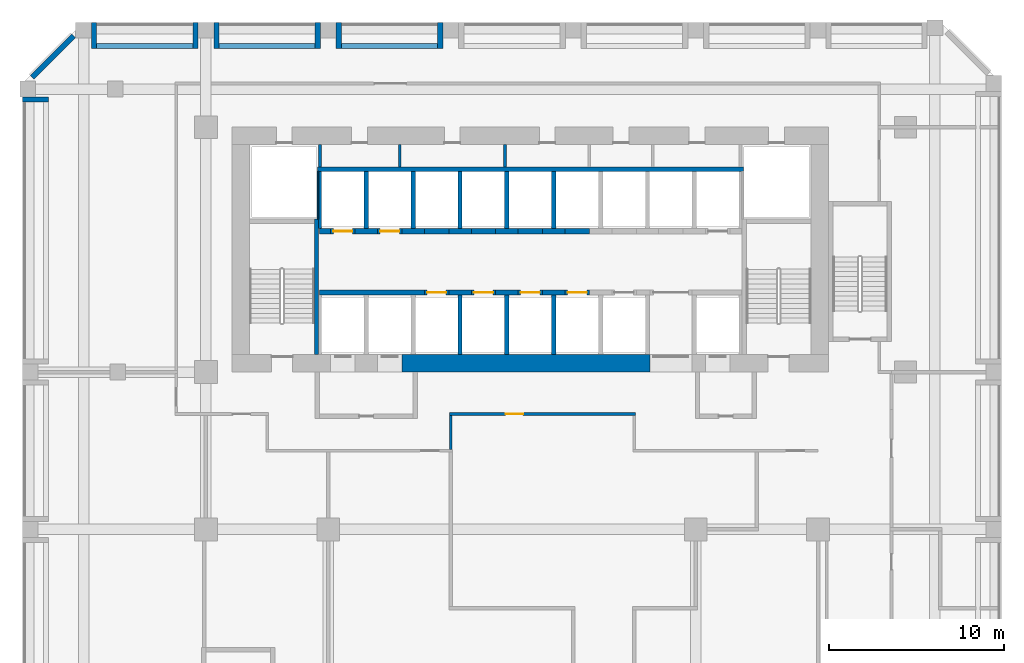
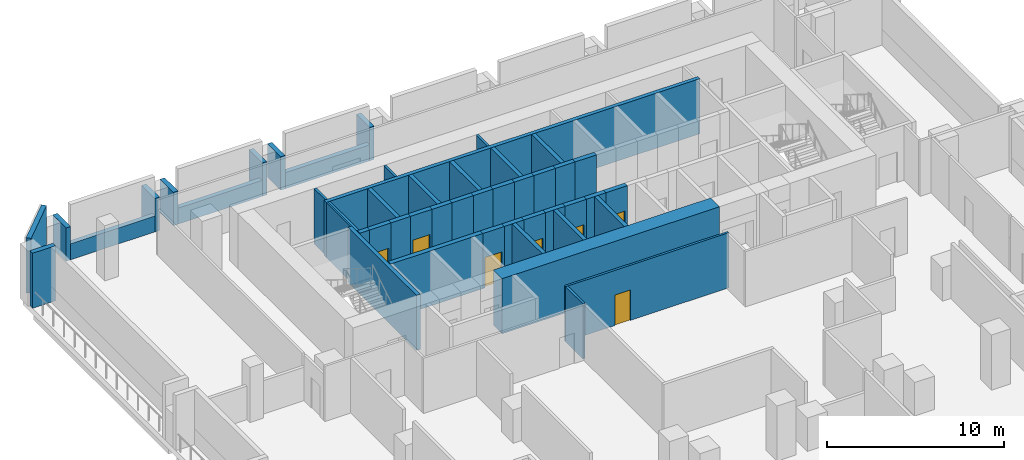
# One storey, part 4 of 10: 49 walls, 7 doors, 7 openings.
"""IFC4 building model written with IfcOpenShell, lengths in metres."""

from ifc_helpers import new_model, si_unit, direction, frame, frame_2d, origin, place, context, subcontext, project, spatial, rectangle, extrude, source, transform, mapped, material, layer, layer_set, type_object, element, fill, save


model = new_model("IFC4")

# Units and contexts
model_context = context("Model", 3, precision=1e-05, world=origin(), true_north=direction((0.0, 1.0)))
body_context = subcontext(model_context, "Body", "Model", "MODEL_VIEW")
ifc_project = project(units=[si_unit("LENGTHUNIT", "METRE"), si_unit("AREAUNIT", "SQUARE_METRE"), si_unit("VOLUMEUNIT", "CUBIC_METRE"), si_unit("PLANEANGLEUNIT", "RADIAN"), si_unit("MASSUNIT", "GRAM", prefix="KILO")], contexts=[model_context])

# Site, building, storey
site_placement = place(None, origin())
site = spatial("IfcSite", under=ifc_project, at=site_placement, CompositionType="ELEMENT")
building_placement = place(site_placement, origin())
building = spatial("IfcBuilding", under=site, at=building_placement, Name="Kilnfold Tower and Market Hall", CompositionType="ELEMENT")
storey_placement = place(building_placement, frame((0.0, 0.0, 59.0)))
storey = spatial("IfcBuildingStorey", under=building, at=storey_placement, Name="L13 Plant Transfer Level", CompositionType="ELEMENT", Elevation=59.0)

# Wall, opening, door
ifc_material_1 = material(Name="Gypsum board on steel studs", Category="steel")
ifc_layer_1 = layer(ifc_material_1, 0.14990234375)
ifc_layer_set_1 = layer_set([ifc_layer_1], Name="Gypsum board on steel studs")
wall_type_1 = type_object("IfcWallType", Name="WALL CORRIDOR 150", PredefinedType="PARTITIONING", material=ifc_layer_set_1)
wall_1_placement = place(storey_placement, frame((-3.574951171875, 5.60009765625, 0.0), z_axis=(0.0, 0.0, 1.0), x_axis=(1.0, 0.0, 0.0)))
wall_1 = element("IfcWall", 1, at=wall_1_placement, inside=storey, type_object=wall_type_1, Name="Partition LY11.7", PredefinedType="PARTITIONING", context=body_context, shape_type="SweptSolid", body=[
    extrude(rectangle(XDim=10.64990234375, YDim=0.14990234375, at=frame_2d((5.324951171875, 0.0))), origin(), (0.0, 0.0, 1.0), 3.800048828125),
])
opening_1_placement = place(wall_1_placement, frame((3.216064453125, 0.0, 0.0)))
opening_1 = element("IfcOpeningElement", 2, at=opening_1_placement, cuts=wall_1, Name="Opening D4", PredefinedType="OPENING", context=body_context, shape_type="SweptSolid", body=[
    extrude(rectangle(XDim=1.0, YDim=2.10009765625, at=frame_2d((0.5, 1.050048828125))), frame((0.0, 0.0849609375, 0.0), z_axis=(0.0, -1.0, 0.0), x_axis=(1.0, 0.0, 0.0)), (0.0, 0.0, 1.0), 0.169921875),
])
ifc_material_2 = material(Name="Timber veneer door leaf in steel frame", Category="steel")
door_type_1 = type_object("IfcDoorType", Name="DOOR SERVICE 1000 X2100", OperationType="NOTDEFINED", PredefinedType="DOOR", material=ifc_material_2)
door_1_placement = place(opening_1_placement, origin())
door_1 = element("IfcDoor", 3, at=door_1_placement, inside=storey, type_object=door_type_1, Name="Door D4", OperationType="SINGLE_SWING_LEFT", OverallHeight=2.10009765625, OverallWidth=1.0, PredefinedType="DOOR", context=body_context, shape_type="SweptSolid", body=[
    extrude(rectangle(XDim=1.0, YDim=2.10009765625, at=frame_2d((0.5, 1.050048828125))), frame((0.0, 0.02490234375, 0.0), z_axis=(0.0, -1.0, 0.0), x_axis=(1.0, 0.0, 0.0)), (0.0, 0.0, 1.0), 0.050048828125),
])
fill(opening_1, door_1)

# Walls
wall_2_placement = place(storey_placement, frame((-3.5, 3.574951171875, 0.0), z_axis=(0.0, 0.0, 1.0), x_axis=(0.0, 1.0, 0.0)))
element("IfcWall", 4, at=wall_2_placement, inside=storey, type_object=wall_type_1, Name="Partition LY11.8", PredefinedType="PARTITIONING", context=body_context, shape_type="SweptSolid", body=[
    extrude(rectangle(XDim=1.949951171875, YDim=0.14990234375, at=frame_2d((0.97509765625, 0.0))), origin(), (0.0, 0.0, 1.0), 3.800048828125),
])
ifc_material_3 = material(Name="Concrete C80", Category="concrete")
ifc_layer_2 = layer(ifc_material_3, 1.0)
ifc_layer_set_2 = layer_set([ifc_layer_2], Name="Concrete C80")
wall_type_2 = type_object("IfcWallType", Name="CORE WALL 1000 C80", PredefinedType="SHEAR", material=ifc_layer_set_2)
shared_shape_1 = source(origin(), body_context, "Body", "SweptSolid", [
    extrude(rectangle(XDim=14.179931640625, YDim=1.0, at=frame_2d((7.08984375, 0.0))), origin(), (0.0, 0.0, 1.0), 3.800048828125),
])
wall_3_placement = place(storey_placement, frame((-6.2900390625, 8.5, 0.0), z_axis=(0.0, 0.0, 1.0), x_axis=(1.0, 0.0, 0.0)))
element("IfcWall", 5, at=wall_3_placement, inside=storey, type_object=wall_type_2, Name="Core outer wall south", PredefinedType="SHEAR", context=body_context, shape_type="MappedRepresentation", body=[
    mapped(shared_shape_1, transform((0.0, 0.0, 0.0))),
])
ifc_material_4 = material(Name="Concrete C80", Category="concrete")
ifc_layer_3 = layer(ifc_material_4, 0.25)
ifc_layer_set_3 = layer_set([ifc_layer_3], Name="Concrete C80")
wall_type_3 = type_object("IfcWallType", Name="CORE WALL 250 C80", PredefinedType="SHEAR", material=ifc_layer_set_3)
shared_shape_2 = source(origin(), body_context, "Body", "SweptSolid", [
    extrude(rectangle(XDim=7.75, YDim=0.25, at=frame_2d((3.875, 0.0))), origin(), (0.0, 0.0, 1.0), 3.800048828125),
])
wall_4_placement = place(storey_placement, frame((-11.175048828125, 9.0, 0.0), z_axis=(0.0, 0.0, 1.0), x_axis=(0.0, 1.0, 0.0)))
element("IfcWall", 6, at=wall_4_placement, inside=storey, type_object=wall_type_3, Name="Stair enclosure ST1", PredefinedType="SHEAR", context=body_context, shape_type="MappedRepresentation", body=[
    mapped(shared_shape_2, transform((0.0, 0.0, 0.0))),
])
ifc_material_5 = material(Name="Concrete C80", Category="concrete")
ifc_layer_4 = layer(ifc_material_5, 0.300048828125)
ifc_layer_set_4 = layer_set([ifc_layer_4], Name="Concrete C80")
wall_type_4 = type_object("IfcWallType", Name="CORE WALL 300 C80", PredefinedType="SHEAR", material=ifc_layer_set_4)
shared_shape_3 = source(origin(), body_context, "Body", "SweptSolid", [
    extrude(rectangle(XDim=6.0, YDim=0.300048828125, at=frame_2d((3.0, 0.0))), origin(), (0.0, 0.0, 1.0), 3.800048828125),
])
wall_5_placement = place(storey_placement, frame((-11.010009765625, 12.550048828125, 0.0), z_axis=(0.0, 0.0, 1.0), x_axis=(1.0, 0.0, 0.0)))
element("IfcWall", 7, at=wall_5_placement, inside=storey, type_object=wall_type_4, Name="Core spine wall", PredefinedType="SHEAR", context=body_context, shape_type="MappedRepresentation", body=[
    mapped(shared_shape_3, transform((0.0, 0.0, 0.0))),
])
shared_shape_4 = source(origin(), body_context, "Body", "SweptSolid", [
    extrude(rectangle(XDim=1.280029296875, YDim=0.300048828125, at=frame_2d((0.64013671875, 0.0))), origin(), (0.0, 0.0, 1.0), 3.800048828125),
])
for number, where, z_axis, x_axis, name in (
    (8, (-3.610107421875, 12.550048828125, 0.0), (0.0, 0.0, 1.0), (1.0, 0.0, 0.0), "Core spine wall"),
    (9, (-0.929931640625, 12.550048828125, 0.0), (0.0, 0.0, 1.0), (1.0, 0.0, 0.0), "Core spine wall"),
    (10, (1.75, 12.550048828125, 0.0), (0.0, 0.0, 1.0), (1.0, 0.0, 0.0), "Core spine wall"),
    (11, (-8.969970703125, 16.050048828125, 0.0), (0.0, 0.0, 1.0), (1.0, 0.0, 0.0), "Core spine wall"),
    (12, (-6.2900390625, 16.050048828125, 0.0), (0.0, 0.0, 1.0), (1.0, 0.0, 0.0), "Core spine wall"),
    (13, (-3.610107421875, 16.050048828125, 0.0), (0.0, 0.0, 1.0), (1.0, 0.0, 0.0), "Core spine wall"),
    (14, (-0.929931640625, 16.050048828125, 0.0), (0.0, 0.0, 1.0), (1.0, 0.0, 0.0), "Core spine wall"),
    (15, (1.75, 16.050048828125, 0.0), (0.0, 0.0, 1.0), (1.0, 0.0, 0.0), "Core spine wall"),
):
    element("IfcWall", number, at=place(storey_placement, frame(where, z_axis=z_axis, x_axis=x_axis)), inside=storey, type_object=wall_type_4, Name=name, PredefinedType="SHEAR", context=body_context, shape_type="MappedRepresentation", body=[
        mapped(shared_shape_4, transform((0.0, 0.0, 0.0))),
    ])
shared_shape_5 = source(origin(), body_context, "Body", "SweptSolid", [
    extrude(rectangle(XDim=0.639892578125, YDim=0.300048828125, at=frame_2d((0.31982421875, 0.0))), origin(), (0.0, 0.0, 1.0), 3.800048828125),
])
wall_6_placement = place(storey_placement, frame((-11.010009765625, 16.050048828125, 0.0), z_axis=(0.0, 0.0, 1.0), x_axis=(1.0, 0.0, 0.0)))
element("IfcWall", 16, at=wall_6_placement, inside=storey, type_object=wall_type_4, Name="Core spine wall", PredefinedType="SHEAR", context=body_context, shape_type="MappedRepresentation", body=[
    mapped(shared_shape_5, transform((0.0, 0.0, 0.0))),
])
ifc_material_6 = material(Name="Precast concrete C50/60", Category="concrete")
ifc_layer_5 = layer(ifc_material_6, 0.300048828125)
ifc_layer_set_5 = layer_set([ifc_layer_5], Name="Precast concrete C50/60")
wall_type_5 = type_object("IfcWallType", Name="PRECAST WALL 300", PredefinedType="SOLIDWALL", material=ifc_layer_set_5)
shared_shape_6 = source(origin(), body_context, "Body", "SweptSolid", [
    extrude(rectangle(XDim=5.5, YDim=0.300048828125, at=frame_2d((2.75, 0.0))), origin(), (0.0, 0.0, 1.0), 1.10009765625),
])
for number, where, z_axis, x_axis, name in (
    (17, (-4.25, 26.64990234375, 0.0), (0.0, 0.0, 1.0), (-1.0, 0.0, 0.0), "Knee wall L13 N"),
    (18, (-11.25, 26.64990234375, 0.0), (0.0, 0.0, 1.0), (-1.0, 0.0, 0.0), "Knee wall L13 N"),
    (19, (-18.25, 26.64990234375, 0.0), (0.0, 0.0, 1.0), (-1.0, 0.0, 0.0), "Knee wall L13 N"),
):
    element("IfcWall", number, at=place(storey_placement, frame(where, z_axis=z_axis, x_axis=x_axis)), inside=storey, type_object=wall_type_5, Name=name, PredefinedType="SOLIDWALL", context=body_context, shape_type="MappedRepresentation", body=[
        mapped(shared_shape_6, transform((0.0, 0.0, 0.0))),
    ])
shared_shape_7 = source(origin(), body_context, "Body", "SweptSolid", [
    extrude(rectangle(XDim=1.5, YDim=0.300048828125, at=frame_2d((0.75, 0.0))), origin(), (0.0, 0.0, 1.0), 2.300048828125),
])
for number, where, z_axis, x_axis, name in (
    (20, (-4.10009765625, 28.0, 0.0), (0.0, 0.0, 1.0), (0.0, -1.0, 0.0), "Plant wall L13 N"),
    (21, (-9.89990234375, 28.0, 0.0), (0.0, 0.0, 1.0), (0.0, -1.0, 0.0), "Plant wall L13 N"),
    (22, (-11.10009765625, 28.0, 0.0), (0.0, 0.0, 1.0), (0.0, -1.0, 0.0), "Plant wall L13 N"),
    (23, (-16.89990234375, 28.0, 0.0), (0.0, 0.0, 1.0), (0.0, -1.0, 0.0), "Plant wall L13 N"),
    (24, (-18.10009765625, 28.0, 0.0), (0.0, 0.0, 1.0), (0.0, -1.0, 0.0), "Plant wall L13 N"),
    (25, (-23.89990234375, 28.0, 0.0), (0.0, 0.0, 1.0), (0.0, -1.0, 0.0), "Plant wall L13 N"),
):
    element("IfcWall", number, at=place(storey_placement, frame(where, z_axis=z_axis, x_axis=x_axis)), inside=storey, type_object=wall_type_5, Name=name, PredefinedType="SOLIDWALL", context=body_context, shape_type="MappedRepresentation", body=[
        mapped(shared_shape_7, transform((0.0, 0.0, 0.0))),
    ])
shared_shape_8 = source(origin(), body_context, "Body", "SweptSolid", [
    extrude(rectangle(XDim=1.5, YDim=0.300048828125, at=frame_2d((0.75, 0.0))), origin(), (0.0, 0.0, 1.0), 3.800048828125),
])
wall_7_placement = place(storey_placement, frame((-28.0, 23.581787109375, 0.0), z_axis=(0.0, 0.0, 1.0), x_axis=(1.0, 0.0, 0.0)))
element("IfcWall", 26, at=wall_7_placement, inside=storey, type_object=wall_type_5, Name="Plant wall L13 W", PredefinedType="SOLIDWALL", context=body_context, shape_type="MappedRepresentation", body=[
    mapped(shared_shape_8, transform((0.0, 0.0, 0.0))),
])
shared_shape_9 = source(origin(), body_context, "Body", "SweptSolid", [
    extrude(rectangle(XDim=3.35888671875, YDim=0.300048828125, at=frame_2d((1.679443359375, 0.0))), origin(), (0.0, 0.0, 1.0), 3.800048828125),
])
wall_8_placement = place(storey_placement, frame((-25.06884765625, 27.218994140625, 0.0), z_axis=(0.0, 0.0, 1.0), x_axis=(-0.707143122278, -0.707070438228, 0.0)))
element("IfcWall", 27, at=wall_8_placement, inside=storey, type_object=wall_type_5, Name="Plant wall L13 NW", PredefinedType="SOLIDWALL", context=body_context, shape_type="MappedRepresentation", body=[
    mapped(shared_shape_9, transform((0.0, 0.0, 0.0))),
])

# Wall, opening, door
ifc_material_7 = material(Name="Gypsum shaft wall system")
ifc_layer_6 = layer(ifc_material_7, 0.300048828125)
ifc_layer_set_6 = layer_set([ifc_layer_6], Name="Gypsum shaft wall system")
wall_type_6 = type_object("IfcWallType", Name="SHAFT WALL 300", PredefinedType="PARTITIONING", material=ifc_layer_set_6)
shared_shape_10 = source(origin(), body_context, "Body", "SweptSolid", [
    extrude(rectangle(XDim=1.39990234375, YDim=0.300048828125, at=frame_2d((0.699951171875, 0.0))), origin(), (0.0, 0.0, 1.0), 3.800048828125),
])
wall_9_placement = place(storey_placement, frame((-5.010009765625, 12.550048828125, 0.0), z_axis=(0.0, 0.0, 1.0), x_axis=(1.0, 0.0, 0.0)))
wall_9 = element("IfcWall", 28, at=wall_9_placement, inside=storey, type_object=wall_type_6, Name="Lift shaft front wall", PredefinedType="PARTITIONING", context=body_context, shape_type="MappedRepresentation", body=[
    mapped(shared_shape_10, transform((0.0, 0.0, 0.0))),
])
opening_2_placement = place(wall_9_placement, frame((0.14990234375, 0.0, 0.0)))
opening_2 = element("IfcOpeningElement", 29, at=opening_2_placement, cuts=wall_9, Name="Opening LD2", PredefinedType="OPENING", context=body_context, shape_type="SweptSolid", body=[
    extrude(rectangle(XDim=1.10009765625, YDim=2.10009765625, at=frame_2d((0.550048828125, 1.050048828125))), frame((0.0, 0.16015625, 0.0), z_axis=(0.0, -1.0, 0.0), x_axis=(1.0, 0.0, 0.0)), (0.0, 0.0, 1.0), 0.320068359375),
])
ifc_material_8 = material(Name="Steel door set with fire-resisting leaf", Category="steel")
door_type_2 = type_object("IfcDoorType", Name="LANDING DOOR 1100X2100", OperationType="NOTDEFINED", PredefinedType="DOOR", material=ifc_material_8)
door_2_placement = place(opening_2_placement, origin())
door_2 = element("IfcDoor", 30, at=door_2_placement, inside=storey, type_object=door_type_2, Name="Landing door LR1", OperationType="DOUBLE_DOOR_SLIDING", OverallHeight=2.10009765625, OverallWidth=1.10009765625, PredefinedType="DOOR", context=body_context, shape_type="SweptSolid", body=[
    extrude(rectangle(XDim=1.10009765625, YDim=2.10009765625, at=frame_2d((0.550048828125, 1.050048828125))), frame((0.0, 0.02490234375, 0.0), z_axis=(0.0, -1.0, 0.0), x_axis=(1.0, 0.0, 0.0)), (0.0, 0.0, 1.0), 0.050048828125),
])
fill(opening_2, door_2)

wall_10_placement = place(storey_placement, frame((0.35009765625, 12.550048828125, 0.0), z_axis=(0.0, 0.0, 1.0), x_axis=(1.0, 0.0, 0.0)))
wall_10 = element("IfcWall", 31, at=wall_10_placement, inside=storey, type_object=wall_type_6, Name="Lift shaft front wall", PredefinedType="PARTITIONING", context=body_context, shape_type="MappedRepresentation", body=[
    mapped(shared_shape_10, transform((0.0, 0.0, 0.0))),
])
opening_3_placement = place(wall_10_placement, frame((0.14990234375, 0.0, 0.0)))
opening_3 = element("IfcOpeningElement", 32, at=opening_3_placement, cuts=wall_10, Name="Opening LD2", PredefinedType="OPENING", context=body_context, shape_type="SweptSolid", body=[
    extrude(rectangle(XDim=1.10009765625, YDim=2.10009765625, at=frame_2d((0.550048828125, 1.050048828125))), frame((0.0, 0.16015625, 0.0), z_axis=(0.0, -1.0, 0.0), x_axis=(1.0, 0.0, 0.0)), (0.0, 0.0, 1.0), 0.320068359375),
])
door_3_placement = place(opening_3_placement, origin())
door_3 = element("IfcDoor", 33, at=door_3_placement, inside=storey, type_object=door_type_2, Name="Landing door LR3", OperationType="DOUBLE_DOOR_SLIDING", OverallHeight=2.10009765625, OverallWidth=1.10009765625, PredefinedType="DOOR", context=body_context, shape_type="SweptSolid", body=[
    extrude(rectangle(XDim=1.10009765625, YDim=2.10009765625, at=frame_2d((0.550048828125, 1.050048828125))), frame((0.0, 0.02490234375, 0.0), z_axis=(0.0, -1.0, 0.0), x_axis=(1.0, 0.0, 0.0)), (0.0, 0.0, 1.0), 0.050048828125),
])
fill(opening_3, door_3)

wall_11_placement = place(storey_placement, frame((3.030029296875, 12.550048828125, 0.0), z_axis=(0.0, 0.0, 1.0), x_axis=(1.0, 0.0, 0.0)))
wall_11 = element("IfcWall", 34, at=wall_11_placement, inside=storey, type_object=wall_type_6, Name="Lift shaft front wall", PredefinedType="PARTITIONING", context=body_context, shape_type="MappedRepresentation", body=[
    mapped(shared_shape_10, transform((0.0, 0.0, 0.0))),
])
opening_4_placement = place(wall_11_placement, frame((0.14990234375, 0.0, 0.0)))
opening_4 = element("IfcOpeningElement", 35, at=opening_4_placement, cuts=wall_11, Name="Opening LD2", PredefinedType="OPENING", context=body_context, shape_type="SweptSolid", body=[
    extrude(rectangle(XDim=1.10009765625, YDim=2.10009765625, at=frame_2d((0.550048828125, 1.050048828125))), frame((0.0, 0.16015625, 0.0), z_axis=(0.0, -1.0, 0.0), x_axis=(1.0, 0.0, 0.0)), (0.0, 0.0, 1.0), 0.320068359375),
])
door_4_placement = place(opening_4_placement, origin())
door_4 = element("IfcDoor", 36, at=door_4_placement, inside=storey, type_object=door_type_2, Name="Landing door LR4", OperationType="DOUBLE_DOOR_SLIDING", OverallHeight=2.10009765625, OverallWidth=1.10009765625, PredefinedType="DOOR", context=body_context, shape_type="SweptSolid", body=[
    extrude(rectangle(XDim=1.10009765625, YDim=2.10009765625, at=frame_2d((0.550048828125, 1.050048828125))), frame((0.0, 0.02490234375, 0.0), z_axis=(0.0, -1.0, 0.0), x_axis=(1.0, 0.0, 0.0)), (0.0, 0.0, 1.0), 0.050048828125),
])
fill(opening_4, door_4)

wall_12_placement = place(storey_placement, frame((-7.68994140625, 16.050048828125, 0.0), z_axis=(0.0, 0.0, 1.0), x_axis=(1.0, 0.0, 0.0)))
wall_12 = element("IfcWall", 37, at=wall_12_placement, inside=storey, type_object=wall_type_6, Name="Lift shaft front wall", PredefinedType="PARTITIONING", context=body_context, shape_type="MappedRepresentation", body=[
    mapped(shared_shape_10, transform((0.0, 0.0, 0.0))),
])
opening_5_placement = place(wall_12_placement, frame((0.14990234375, 0.0, 0.0)))
opening_5 = element("IfcOpeningElement", 38, at=opening_5_placement, cuts=wall_12, Name="Opening LD2", PredefinedType="OPENING", context=body_context, shape_type="SweptSolid", body=[
    extrude(rectangle(XDim=1.10009765625, YDim=2.10009765625, at=frame_2d((0.550048828125, 1.050048828125))), frame((0.0, 0.16015625, 0.0), z_axis=(0.0, -1.0, 0.0), x_axis=(1.0, 0.0, 0.0)), (0.0, 0.0, 1.0), 0.320068359375),
])
door_5_placement = place(opening_5_placement, origin())
door_5 = element("IfcDoor", 39, at=door_5_placement, inside=storey, type_object=door_type_2, Name="Landing door LR8", OperationType="DOUBLE_DOOR_SLIDING", OverallHeight=2.10009765625, OverallWidth=1.10009765625, PredefinedType="DOOR", context=body_context, shape_type="SweptSolid", body=[
    extrude(rectangle(XDim=1.10009765625, YDim=2.10009765625, at=frame_2d((0.550048828125, 1.050048828125))), frame((0.0, 0.02490234375, 0.0), z_axis=(0.0, -1.0, 0.0), x_axis=(1.0, 0.0, 0.0)), (0.0, 0.0, 1.0), 0.050048828125),
])
fill(opening_5, door_5)

# Walls
for number, where, z_axis, x_axis, name in (
    (40, (-5.010009765625, 16.050048828125, 0.0), (0.0, 0.0, 1.0), (1.0, 0.0, 0.0), "Lift shaft front wall"),
    (41, (0.35009765625, 16.050048828125, 0.0), (0.0, 0.0, 1.0), (1.0, 0.0, 0.0), "Lift shaft front wall"),
    (42, (3.030029296875, 16.050048828125, 0.0), (0.0, 0.0, 1.0), (1.0, 0.0, 0.0), "Lift shaft front wall"),
):
    element("IfcWall", number, at=place(storey_placement, frame(where, z_axis=z_axis, x_axis=x_axis)), inside=storey, type_object=wall_type_6, Name=name, PredefinedType="PARTITIONING", context=body_context, shape_type="MappedRepresentation", body=[
        mapped(shared_shape_10, transform((0.0, 0.0, 0.0))),
    ])

# Wall, opening, door
shared_shape_11 = source(origin(), body_context, "Body", "SweptSolid", [
    extrude(rectangle(XDim=1.400146484375, YDim=0.300048828125, at=frame_2d((0.7001953125, 0.0))), origin(), (0.0, 0.0, 1.0), 3.800048828125),
])
wall_13_placement = place(storey_placement, frame((-2.330078125, 12.550048828125, 0.0), z_axis=(0.0, 0.0, 1.0), x_axis=(1.0, 0.0, 0.0)))
wall_13 = element("IfcWall", 43, at=wall_13_placement, inside=storey, type_object=wall_type_6, Name="Lift shaft front wall", PredefinedType="PARTITIONING", context=body_context, shape_type="MappedRepresentation", body=[
    mapped(shared_shape_11, transform((0.0, 0.0, 0.0))),
])
opening_6_placement = place(wall_13_placement, frame((0.14990234375, 0.0, 0.0)))
opening_6 = element("IfcOpeningElement", 44, at=opening_6_placement, cuts=wall_13, Name="Opening LD2", PredefinedType="OPENING", context=body_context, shape_type="SweptSolid", body=[
    extrude(rectangle(XDim=1.10009765625, YDim=2.10009765625, at=frame_2d((0.550048828125, 1.050048828125))), frame((0.0, 0.16015625, 0.0), z_axis=(0.0, -1.0, 0.0), x_axis=(1.0, 0.0, 0.0)), (0.0, 0.0, 1.0), 0.320068359375),
])
door_6_placement = place(opening_6_placement, origin())
door_6 = element("IfcDoor", 45, at=door_6_placement, inside=storey, type_object=door_type_2, Name="Landing door LR2", OperationType="DOUBLE_DOOR_SLIDING", OverallHeight=2.10009765625, OverallWidth=1.10009765625, PredefinedType="DOOR", context=body_context, shape_type="SweptSolid", body=[
    extrude(rectangle(XDim=1.10009765625, YDim=2.10009765625, at=frame_2d((0.550048828125, 1.050048828125))), frame((0.0, 0.02490234375, 0.0), z_axis=(0.0, -1.0, 0.0), x_axis=(1.0, 0.0, 0.0)), (0.0, 0.0, 1.0), 0.050048828125),
])
fill(opening_6, door_6)

wall_14_placement = place(storey_placement, frame((-10.3701171875, 16.050048828125, 0.0), z_axis=(0.0, 0.0, 1.0), x_axis=(1.0, 0.0, 0.0)))
wall_14 = element("IfcWall", 46, at=wall_14_placement, inside=storey, type_object=wall_type_6, Name="Lift shaft front wall", PredefinedType="PARTITIONING", context=body_context, shape_type="MappedRepresentation", body=[
    mapped(shared_shape_11, transform((0.0, 0.0, 0.0))),
])
opening_7_placement = place(wall_14_placement, frame((0.14990234375, 0.0, 0.0)))
opening_7 = element("IfcOpeningElement", 47, at=opening_7_placement, cuts=wall_14, Name="Opening LD2", PredefinedType="OPENING", context=body_context, shape_type="SweptSolid", body=[
    extrude(rectangle(XDim=1.10009765625, YDim=2.10009765625, at=frame_2d((0.550048828125, 1.050048828125))), frame((0.0, 0.16015625, 0.0), z_axis=(0.0, -1.0, 0.0), x_axis=(1.0, 0.0, 0.0)), (0.0, 0.0, 1.0), 0.320068359375),
])
door_7_placement = place(opening_7_placement, origin())
door_7 = element("IfcDoor", 48, at=door_7_placement, inside=storey, type_object=door_type_2, Name="Landing door LR7", OperationType="DOUBLE_DOOR_SLIDING", OverallHeight=2.10009765625, OverallWidth=1.10009765625, PredefinedType="DOOR", context=body_context, shape_type="SweptSolid", body=[
    extrude(rectangle(XDim=1.10009765625, YDim=2.10009765625, at=frame_2d((0.550048828125, 1.050048828125))), frame((0.0, 0.02490234375, 0.0), z_axis=(0.0, -1.0, 0.0), x_axis=(1.0, 0.0, 0.0)), (0.0, 0.0, 1.0), 0.050048828125),
])
fill(opening_7, door_7)

# Walls
wall_15_placement = place(storey_placement, frame((-2.330078125, 16.050048828125, 0.0), z_axis=(0.0, 0.0, 1.0), x_axis=(1.0, 0.0, 0.0)))
element("IfcWall", 49, at=wall_15_placement, inside=storey, type_object=wall_type_6, Name="Lift shaft front wall", PredefinedType="PARTITIONING", context=body_context, shape_type="MappedRepresentation", body=[
    mapped(shared_shape_11, transform((0.0, 0.0, 0.0))),
])
ifc_material_9 = material(Name="Gypsum shaft wall system")
ifc_layer_7 = layer(ifc_material_9, 0.25)
ifc_layer_set_7 = layer_set([ifc_layer_7], Name="Gypsum shaft wall system")
wall_type_7 = type_object("IfcWallType", Name="SHAFT WALL 250", PredefinedType="PARTITIONING", material=ifc_layer_set_7)
shared_shape_12 = source(origin(), body_context, "Body", "SweptSolid", [
    extrude(rectangle(XDim=24.3701171875, YDim=0.25, at=frame_2d((12.18505859375, 0.0))), origin(), (0.0, 0.0, 1.0), 3.800048828125),
])
wall_16_placement = place(storey_placement, frame((-11.135009765625, 19.60009765625, 0.0), z_axis=(0.0, 0.0, 1.0), x_axis=(1.0, 0.0, 0.0)))
element("IfcWall", 50, at=wall_16_placement, inside=storey, type_object=wall_type_7, Name="Lift shaft wall", PredefinedType="PARTITIONING", context=body_context, shape_type="MappedRepresentation", body=[
    mapped(shared_shape_12, transform((0.0, 0.0, 0.0))),
])
ifc_material_10 = material(Name="Gypsum shaft wall system")
ifc_layer_8 = layer(ifc_material_10, 0.1650390625)
ifc_layer_set_8 = layer_set([ifc_layer_8], Name="Gypsum shaft wall system")
wall_type_8 = type_object("IfcWallType", Name="SHAFT WALL 165", PredefinedType="PARTITIONING", material=ifc_layer_set_8)
shared_shape_13 = source(origin(), body_context, "Body", "SweptSolid", [
    extrude(rectangle(XDim=3.275146484375, YDim=0.1650390625, at=frame_2d((1.6376953125, 0.0))), origin(), (0.0, 0.0, 1.0), 3.800048828125),
])
wall_17_placement = place(storey_placement, frame((-10.967529296875, 16.199951171875, 0.0), z_axis=(0.0, 0.0, 1.0), x_axis=(0.0, 1.0, 0.0)))
element("IfcWall", 51, at=wall_17_placement, inside=storey, type_object=wall_type_8, Name="Lift shaft wall", PredefinedType="PARTITIONING", context=body_context, shape_type="MappedRepresentation", body=[
    mapped(shared_shape_13, transform((0.0, 0.0, 0.0))),
])
shared_shape_14 = source(origin(), body_context, "Body", "SweptSolid", [
    extrude(rectangle(XDim=1.27490234375, YDim=0.1650390625, at=frame_2d((0.637451171875, 0.0))), origin(), (0.0, 0.0, 1.0), 3.800048828125),
])
wall_18_placement = place(storey_placement, frame((-10.967529296875, 19.72509765625, 0.0), z_axis=(0.0, 0.0, 1.0), x_axis=(0.0, 1.0, 0.0)))
element("IfcWall", 52, at=wall_18_placement, inside=storey, type_object=wall_type_8, Name="Lift shaft wall", PredefinedType="PARTITIONING", context=body_context, shape_type="MappedRepresentation", body=[
    mapped(shared_shape_14, transform((0.0, 0.0, 0.0))),
])
shared_shape_15 = source(origin(), body_context, "Body", "SweptSolid", [
    extrude(rectangle(XDim=3.275146484375, YDim=0.25, at=frame_2d((1.6376953125, 0.0))), origin(), (0.0, 0.0, 1.0), 3.800048828125),
])
for number, where, z_axis, x_axis, name in (
    (53, (2.389892578125, 16.199951171875, 0.0), (0.0, 0.0, 1.0), (0.0, 1.0, 0.0), "Lift shaft wall"),
    (54, (-0.2900390625, 16.199951171875, 0.0), (0.0, 0.0, 1.0), (0.0, 1.0, 0.0), "Lift shaft wall"),
    (55, (-2.969970703125, 16.199951171875, 0.0), (0.0, 0.0, 1.0), (0.0, 1.0, 0.0), "Lift shaft wall"),
    (56, (-5.64990234375, 16.199951171875, 0.0), (0.0, 0.0, 1.0), (0.0, 1.0, 0.0), "Lift shaft wall"),
    (57, (-8.330078125, 16.199951171875, 0.0), (0.0, 0.0, 1.0), (0.0, 1.0, 0.0), "Lift shaft wall"),
):
    element("IfcWall", number, at=place(storey_placement, frame(where, z_axis=z_axis, x_axis=x_axis)), inside=storey, type_object=wall_type_7, Name=name, PredefinedType="PARTITIONING", context=body_context, shape_type="MappedRepresentation", body=[
        mapped(shared_shape_15, transform((0.0, 0.0, 0.0))),
    ])
ifc_material_11 = material(Name="Gypsum shaft wall system")
ifc_layer_9 = layer(ifc_material_11, 0.0849609375)
ifc_layer_set_9 = layer_set([ifc_layer_9], Name="Gypsum shaft wall system")
wall_type_9 = type_object("IfcWallType", Name="SHAFT WALL 85", PredefinedType="PARTITIONING", material=ifc_layer_set_9)
shared_shape_16 = source(origin(), body_context, "Body", "SweptSolid", [
    extrude(rectangle(XDim=2.72509765625, YDim=0.0849609375, at=frame_2d((1.362548828125, 0.0))), origin(), (0.0, 0.0, 1.0), 3.800048828125),
])
wall_19_placement = place(storey_placement, frame((-11.092529296875, 16.75, 0.0), z_axis=(0.0, 0.0, 1.0), x_axis=(0.0, 1.0, 0.0)))
element("IfcWall", 58, at=wall_19_placement, inside=storey, type_object=wall_type_9, Name="Lift shaft wall", PredefinedType="PARTITIONING", context=body_context, shape_type="MappedRepresentation", body=[
    mapped(shared_shape_16, transform((0.0, 0.0, 0.0))),
])
shared_shape_17 = source(origin(), body_context, "Body", "SweptSolid", [
    extrude(rectangle(XDim=3.39990234375, YDim=0.25, at=frame_2d((1.699951171875, 0.0))), origin(), (0.0, 0.0, 1.0), 3.800048828125),
])
for number, where, z_axis, x_axis, name in (
    (59, (2.389892578125, 9.0, 0.0), (0.0, 0.0, 1.0), (0.0, 1.0, 0.0), "Lift shaft wall"),
    (60, (-0.2900390625, 9.0, 0.0), (0.0, 0.0, 1.0), (0.0, 1.0, 0.0), "Lift shaft wall"),
    (61, (-2.969970703125, 9.0, 0.0), (0.0, 0.0, 1.0), (0.0, 1.0, 0.0), "Lift shaft wall"),
):
    element("IfcWall", number, at=place(storey_placement, frame(where, z_axis=z_axis, x_axis=x_axis)), inside=storey, type_object=wall_type_7, Name=name, PredefinedType="PARTITIONING", context=body_context, shape_type="MappedRepresentation", body=[
        mapped(shared_shape_17, transform((0.0, 0.0, 0.0))),
    ])
ifc_material_12 = material(Name="Gypsum shaft wall system")
ifc_layer_10 = layer(ifc_material_12, 0.14990234375)
ifc_layer_set_10 = layer_set([ifc_layer_10], Name="Gypsum shaft wall system")
wall_type_10 = type_object("IfcWallType", Name="ROOM WALL 150", PredefinedType="PARTITIONING", material=ifc_layer_set_10)
shared_shape_18 = source(origin(), body_context, "Body", "SweptSolid", [
    extrude(rectangle(XDim=1.27490234375, YDim=0.14990234375, at=frame_2d((0.637451171875, 0.0))), origin(), (0.0, 0.0, 1.0), 3.800048828125),
])
for number, where, z_axis, x_axis, name in (
    (62, (-6.42724609375, 19.72509765625, 0.0), (0.0, 0.0, 1.0), (0.0, 1.0, 0.0), "Core room wall"),
    (63, (-0.397216796875, 19.72509765625, 0.0), (0.0, 0.0, 1.0), (0.0, 1.0, 0.0), "Core room wall"),
):
    element("IfcWall", number, at=place(storey_placement, frame(where, z_axis=z_axis, x_axis=x_axis)), inside=storey, type_object=wall_type_10, Name=name, PredefinedType="PARTITIONING", context=body_context, shape_type="MappedRepresentation", body=[
        mapped(shared_shape_18, transform((0.0, 0.0, 0.0))),
    ])

save(model, "model.ifc")
